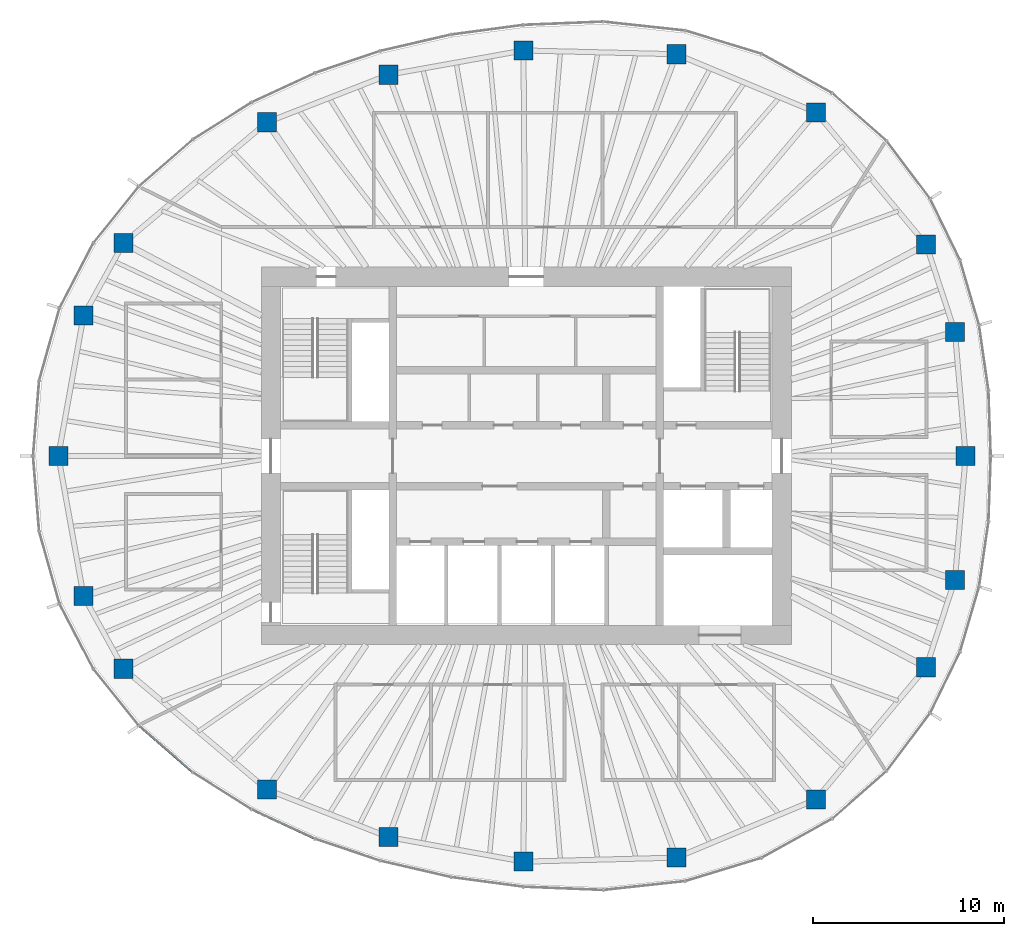
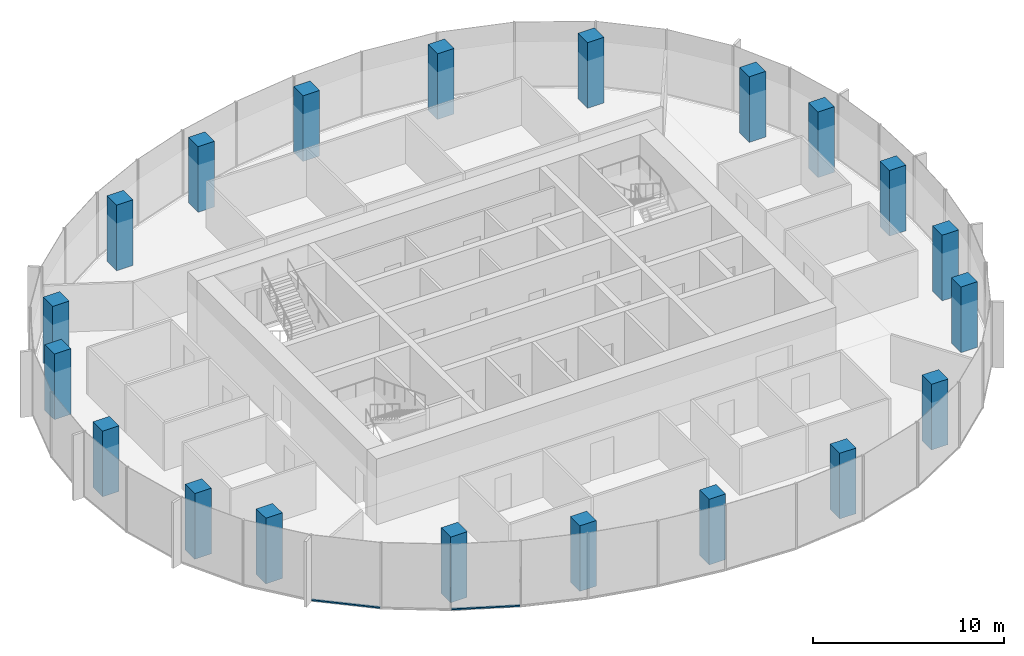
# One storey, part 1 of 11: 20 columns, 2 members, 2 elements without a shape of their own.
"""IFC4 building model written with IfcOpenShell, lengths in metres."""

from ifc_helpers import new_model, si_unit, direction, frame, origin, origin_2d, place, context, subcontext, project, spatial, rectangle, extrude, material, material_profile, profile_set, type_object, element, aggregate, save


model = new_model("IFC4")

# Units and contexts
model_context = context("Model", 3, precision=1e-05, world=origin(), true_north=direction((0.0, 1.0)))
body_context = subcontext(model_context, "Body", "Model", "MODEL_VIEW")
ifc_project = project(units=[si_unit("LENGTHUNIT", "METRE"), si_unit("AREAUNIT", "SQUARE_METRE"), si_unit("VOLUMEUNIT", "CUBIC_METRE"), si_unit("PLANEANGLEUNIT", "RADIAN"), si_unit("MASSUNIT", "GRAM", prefix="KILO")], contexts=[model_context])

# Site, building, storey
site_placement = place(None, origin())
site = spatial("IfcSite", under=ifc_project, at=site_placement, CompositionType="ELEMENT")
building_placement = place(site_placement, origin())
building = spatial("IfcBuilding", under=site, at=building_placement, Name="Ghaith Harvest Tower", CompositionType="ELEMENT")
storey_placement = place(building_placement, frame((0.0, 0.0, 321.60009765625)))
storey = spatial("IfcBuildingStorey", under=building, at=storey_placement, Name="L72", CompositionType="ELEMENT", Elevation=321.60009765625)

# Columns
ifc_material_1 = material(Name="Concrete C50/60", Category="concrete")
ifc_material_profile_1 = material_profile(ifc_material_1, rectangle(XDim=1.0, YDim=1.0, at=origin_2d()), Name="RC1000X1000")
ifc_profile_set_1 = profile_set([ifc_material_profile_1], Name="Concrete C50/60")
column_type = type_object("IfcColumnType", Name="TC8 RC1000X1000", PredefinedType="COLUMN", material=ifc_profile_set_1)
for number, where, z_axis, x_axis, name in (
    (1, (23.050048828125, 0.0, 0.0), (0.0, 0.0, 1.0), (1.0, 0.0, 0.0), "Perimeter column C01"),
    (2, (22.485107421875, 6.4990234375, 0.0), (0.0, 0.0, 1.0), (1.0, 0.0, 0.0), "Perimeter column C02"),
    (3, (20.97705078125, 11.087890625, 0.0), (0.0, 0.0, 1.0), (1.0, 0.0, 0.0), "Perimeter column C03"),
    (4, (15.197998046875, 18.02294921875, 0.0), (0.0, 0.0, 1.0), (1.0, 0.0, 0.0), "Perimeter column C04"),
    (5, (7.8779296875, 21.072021484375, 0.0), (0.0, 0.0, 1.0), (1.0, 0.0, 0.0), "Perimeter column C05"),
    (6, (-0.14599609375, 21.27099609375, 0.0), (0.0, 0.0, 1.0), (1.0, 0.0, 0.0), "Perimeter column C06"),
    (7, (-7.221923828125, 19.9970703125, 0.0), (0.0, 0.0, 1.0), (1.0, 0.0, 0.0), "Perimeter column C07"),
    (8, (-13.594970703125, 17.5048828125, 0.0), (0.0, 0.0, 1.0), (1.0, 0.0, 0.0), "Perimeter column C08"),
    (9, (-21.125, 11.166015625, 0.0), (0.0, 0.0, 1.0), (1.0, 0.0, 0.0), "Perimeter column C09"),
    (10, (-23.22412109375, 7.360107421875, 0.0), (0.0, 0.0, 1.0), (1.0, 0.0, 0.0), "Perimeter column C10"),
    (11, (-24.550048828125, 0.0, 0.0), (0.0, 0.0, 1.0), (1.0, 0.0, 0.0), "Perimeter column C11"),
    (12, (-23.22412109375, -7.360107421875, 0.0), (0.0, 0.0, 1.0), (1.0, 0.0, 0.0), "Perimeter column C12"),
    (13, (-21.125, -11.166015625, 0.0), (0.0, 0.0, 1.0), (1.0, 0.0, 0.0), "Perimeter column C13"),
    (14, (-13.594970703125, -17.5048828125, 0.0), (0.0, 0.0, 1.0), (1.0, 0.0, 0.0), "Perimeter column C14"),
    (15, (-7.221923828125, -19.9970703125, 0.0), (0.0, 0.0, 1.0), (1.0, 0.0, 0.0), "Perimeter column C15"),
    (16, (-0.14599609375, -21.285888671875, 0.0), (0.0, 0.0, 1.0), (1.0, 0.0, 0.0), "Perimeter column C16"),
    (17, (7.8779296875, -21.072021484375, 0.0), (0.0, 0.0, 1.0), (1.0, 0.0, 0.0), "Perimeter column C17"),
    (18, (15.197998046875, -18.02294921875, 0.0), (0.0, 0.0, 1.0), (1.0, 0.0, 0.0), "Perimeter column C18"),
    (19, (20.97705078125, -11.087890625, 0.0), (0.0, 0.0, 1.0), (1.0, 0.0, 0.0), "Perimeter column C19"),
    (20, (22.485107421875, -6.4990234375, 0.0), (0.0, 0.0, 1.0), (1.0, 0.0, 0.0), "Perimeter column C20"),
):
    element("IfcColumn", number, at=place(storey_placement, frame(where, z_axis=z_axis, x_axis=x_axis)), inside=storey, type_object=column_type, Name=name, PredefinedType="COLUMN", context=body_context, shape_type="SweptSolid", body=[
        extrude(rectangle(XDim=1.0, YDim=1.0, at=origin_2d()), origin(), (0.0, 0.0, 1.0), 4.199951171875),
    ])

# Curtain wall, member
ifc_material_2 = material(Name="Black anodised aluminium and fritted glass", Category="aluminium")
curtain_wall_type = type_object("IfcCurtainWallType", Name="CW-T CURTAIN WALL", PredefinedType="NOTDEFINED", material=ifc_material_2)
curtain_wall_1_placement = place(storey_placement, origin())
curtain_wall_1 = element("IfcCurtainWall", 21, at=curtain_wall_1_placement, inside=storey, type_object=curtain_wall_type, Name="Curtain wall CW-T bay 13 L72", PredefinedType="NOTDEFINED")
ifc_material_3 = material(Name="Aluminium, black anodised", Category="aluminium")
ifc_material_profile_2 = material_profile(ifc_material_3, rectangle(XDim=0.1201171875, YDim=0.080078125, at=origin_2d()), Name="CW-T TRANSOM 120x80")
ifc_profile_set_2 = profile_set([ifc_material_profile_2], Name="Aluminium, black anodised")
member_type = type_object("IfcMemberType", Name="CW-T TRANSOM 120x80", PredefinedType="USERDEFINED", material=ifc_profile_set_2)
member_1_placement = place(storey_placement, frame((-20.294189453125, -14.168212890625, 0.039794921875), z_axis=(0.754851889287, -0.65589528527, 0.0), x_axis=(0.65589528527, 0.754851889287, 0.0)))
member_1 = element("IfcMember", 22, at=member_1_placement, type_object=member_type, Name="CW-T transom 1 bay 13 L72", ObjectType="TRANSOM", PredefinedType="USERDEFINED", context=body_context, shape_type="SweptSolid", body=[
    extrude(rectangle(XDim=0.1201171875, YDim=0.080078125, at=origin_2d()), origin(), (0.0, 0.0, 1.0), 3.668701171875),
])
aggregate(curtain_wall_1, [member_1])

curtain_wall_2_placement = place(storey_placement, origin())
curtain_wall_2 = element("IfcCurtainWall", 23, at=curtain_wall_2_placement, inside=storey, type_object=curtain_wall_type, Name="Curtain wall CW-T bay 14 L72", PredefinedType="NOTDEFINED")
member_2_placement = place(storey_placement, frame((-14.36865234375, -18.564697265625, 0.039794921875), z_axis=(0.907472177056, -0.420112184862, 0.0), x_axis=(0.420112184862, 0.907472177056, 0.0)))
member_2 = element("IfcMember", 24, at=member_2_placement, type_object=member_type, Name="CW-T transom 1 bay 14 L72", ObjectType="TRANSOM", PredefinedType="USERDEFINED", context=body_context, shape_type="SweptSolid", body=[
    extrude(rectangle(XDim=0.1201171875, YDim=0.080078125, at=origin_2d()), origin(), (0.0, 0.0, 1.0), 3.597900390625),
])
aggregate(curtain_wall_2, [member_2])

save(model, "model.ifc")
